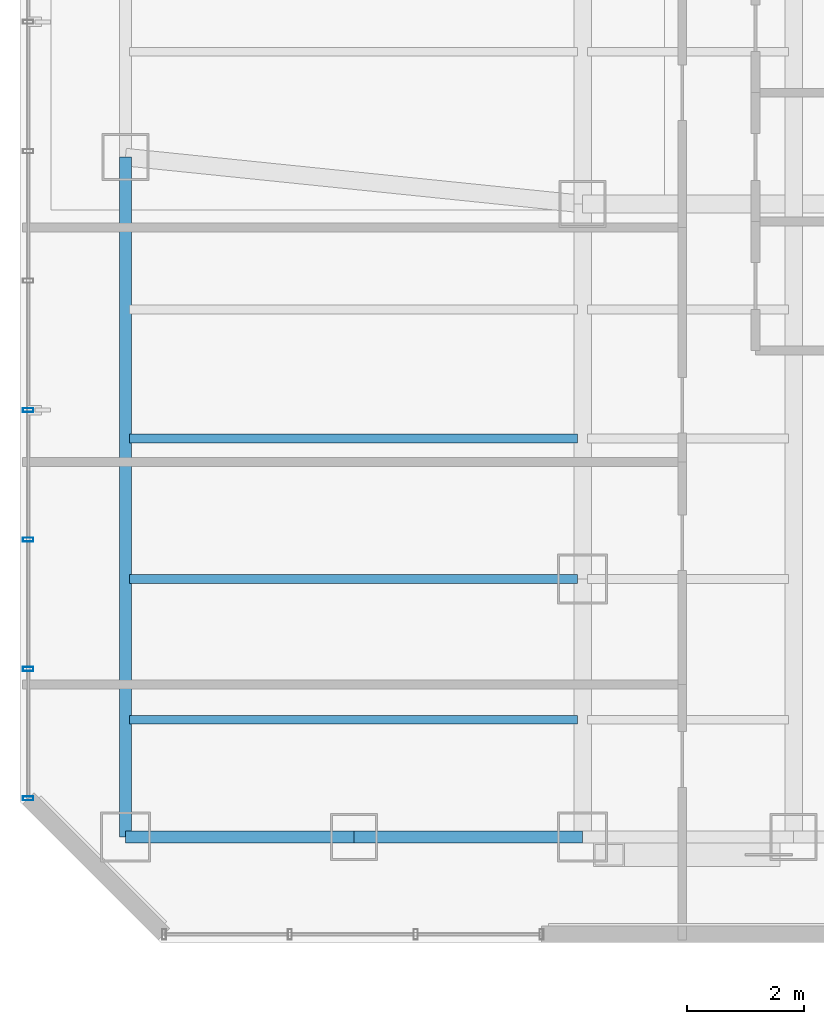
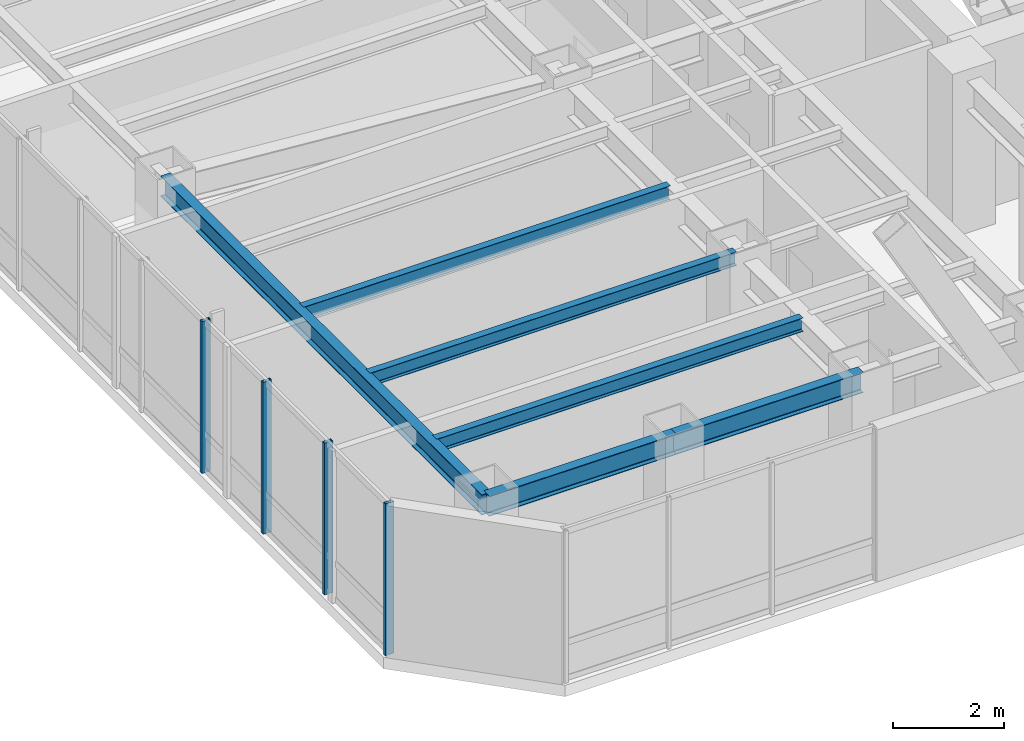
# One storey, part 4 of 29: 6 beams, 4 members, 1 element without a shape of its own.
"""IFC4 building model written with IfcOpenShell, lengths in metres."""

from ifc_helpers import new_model, si_unit, direction, frame, origin, origin_2d, place, context, subcontext, project, spatial, hollow_rectangle, i_section, extrude, material, layer, layer_set, material_profile, profile_set, type_object, element, aggregate, save


model = new_model("IFC4")

# Units and contexts
model_context = context("Model", 3, precision=1e-05, world=origin(), true_north=direction((0.0, 1.0)))
body_context = subcontext(model_context, "Body", "Model", "MODEL_VIEW")
ifc_project = project(units=[si_unit("LENGTHUNIT", "METRE"), si_unit("AREAUNIT", "SQUARE_METRE"), si_unit("VOLUMEUNIT", "CUBIC_METRE"), si_unit("PLANEANGLEUNIT", "RADIAN"), si_unit("MASSUNIT", "GRAM", prefix="KILO")], contexts=[model_context])

# Site, building, storey
site_placement = place(None, origin())
site = spatial("IfcSite", under=ifc_project, at=site_placement, CompositionType="ELEMENT")
building_placement = place(site_placement, origin())
building = spatial("IfcBuilding", under=site, at=building_placement, Name="Hatsunagi Terrace Concourse", CompositionType="ELEMENT")
storey_placement = place(building_placement, frame((0.0, 0.0, 149.25)))
storey = spatial("IfcBuildingStorey", under=building, at=storey_placement, Name="L39", CompositionType="ELEMENT", Elevation=149.25)

# Curtain wall, members
ifc_material_1 = material(Name="Anodised Aluminium Alloy 6063-T5", Category="aluminium")
ifc_layer = layer(ifc_material_1, 0.199951171875)
ifc_layer_set = layer_set([ifc_layer], Name="OfficeZone1_CW03")
curtain_wall_type = type_object("IfcCurtainWallType", Name="OfficeZone1_CW03", PredefinedType="NOTDEFINED", material=ifc_layer_set)
curtain_wall_placement = place(storey_placement, origin())
curtain_wall = element("IfcCurtainWall", 1, at=curtain_wall_placement, inside=storey, type_object=curtain_wall_type, Name="Unitised Curtain Wall CW-03 CW-L39-09", PredefinedType="NOTDEFINED")
ifc_material_2 = material(Name="Anodised Aluminium Alloy 6063-T5", Category="aluminium")
ifc_material_profile_1 = material_profile(ifc_material_2, hollow_rectangle(XDim=0.070068359375, YDim=0.179931640625, WallThickness=0.00390625, at=origin_2d()), Name="ALU-MUL-180x70x4")
ifc_profile_set_1 = profile_set([ifc_material_profile_1], Name="Anodised Aluminium Alloy 6063-T5")
member_type = type_object("IfcMemberType", Name="CurtainWallMullion_180x70", PredefinedType="MULLION", material=ifc_profile_set_1)
member_1_placement = place(storey_placement, frame((9.739990234375, 25.85791015625, 0.0), z_axis=(0.0, 0.0, 1.0), x_axis=(0.0, 1.0, 0.0)))
member_1 = element("IfcMember", 2, at=member_1_placement, type_object=member_type, Name="Curtain Wall Mullion MUL-02", PredefinedType="MULLION", context=body_context, shape_type="SweptSolid", body=[
    extrude(hollow_rectangle(XDim=0.070068359375, YDim=0.179931640625, WallThickness=0.00390625, at=origin_2d()), origin(), (0.0, 0.0, 1.0), 3.35009765625),
])
member_2_placement = place(storey_placement, frame((9.739990234375, 28.06591796875, 0.0), z_axis=(0.0, 0.0, 1.0), x_axis=(0.0, 1.0, 0.0)))
member_2 = element("IfcMember", 3, at=member_2_placement, type_object=member_type, Name="Curtain Wall Mullion MUL-02", PredefinedType="MULLION", context=body_context, shape_type="SweptSolid", body=[
    extrude(hollow_rectangle(XDim=0.070068359375, YDim=0.179931640625, WallThickness=0.00390625, at=origin_2d()), origin(), (0.0, 0.0, 1.0), 3.35009765625),
])
member_3_placement = place(storey_placement, frame((9.739990234375, 30.27490234375, 0.0), z_axis=(0.0, 0.0, 1.0), x_axis=(0.0, 1.0, 0.0)))
member_3 = element("IfcMember", 4, at=member_3_placement, type_object=member_type, Name="Curtain Wall Mullion MUL-02", PredefinedType="MULLION", context=body_context, shape_type="SweptSolid", body=[
    extrude(hollow_rectangle(XDim=0.070068359375, YDim=0.179931640625, WallThickness=0.00390625, at=origin_2d()), origin(), (0.0, 0.0, 1.0), 3.35009765625),
])
member_4_placement = place(storey_placement, frame((9.739990234375, 32.48291015625, 0.0), z_axis=(0.0, 0.0, 1.0), x_axis=(0.0, 1.0, 0.0)))
member_4 = element("IfcMember", 5, at=member_4_placement, type_object=member_type, Name="Curtain Wall Mullion MUL-02", PredefinedType="MULLION", context=body_context, shape_type="SweptSolid", body=[
    extrude(hollow_rectangle(XDim=0.070068359375, YDim=0.179931640625, WallThickness=0.00390625, at=origin_2d()), origin(), (0.0, 0.0, 1.0), 3.35009765625),
])
aggregate(curtain_wall, [member_1, member_2, member_3, member_4])

# Beams
ifc_material_3 = material(Name="Steel SN490B", Category="steel")
ifc_material_profile_2 = material_profile(ifc_material_3, i_section(OverallWidth=0.14990234375, OverallDepth=0.300048828125, WebThickness=0.006591796875, FlangeThickness=0.009033203125, FilletRadius=0.010986328125, at=origin_2d()), Name="H-300x150x6.5x9")
ifc_profile_set_2 = profile_set([ifc_material_profile_2], Name="Steel SN490B")
beam_type_1 = type_object("IfcBeamType", Name="OfficeJoist_H_300x150", PredefinedType="JOIST", material=ifc_profile_set_2)
for number, where, z_axis, x_axis, name in (
    (6, (11.465087890625, 27.199951171875, 3.199951171875), (1.0, 0.0, 0.0), (0.0, 1.0, 0.0), "Beam J-03 J-L39-W-11-272"),
    (7, (11.465087890625, 29.60009765625, 3.199951171875), (1.0, 0.0, 0.0), (0.0, 1.0, 0.0), "Beam J-03 J-L39-W-11-296"),
    (8, (11.465087890625, 32.0, 3.199951171875), (1.0, 0.0, 0.0), (0.0, 1.0, 0.0), "Beam J-03 J-L39-W-11-320"),
):
    element("IfcBeam", number, at=place(storey_placement, frame(where, z_axis=z_axis, x_axis=x_axis)), inside=storey, type_object=beam_type_1, Name=name, PredefinedType="JOIST", context=body_context, shape_type="SweptSolid", body=[
        extrude(i_section(OverallWidth=0.14990234375, OverallDepth=0.300048828125, WebThickness=0.006591796875, FlangeThickness=0.009033203125, FilletRadius=0.010986328125, at=origin_2d()), origin(), (0.0, 0.0, 1.0), 7.64990234375),
    ])
ifc_material_4 = material(Name="Steel SN490B", Category="steel")
ifc_material_profile_3 = material_profile(ifc_material_4, i_section(OverallWidth=0.199951171875, OverallDepth=0.449951171875, WebThickness=0.009033203125, FlangeThickness=0.013916015625, FilletRadius=0.01611328125, at=origin_2d()), Name="H-450x200x9x14")
ifc_profile_set_3 = profile_set([ifc_material_profile_3], Name="Steel SN490B")
beam_type_2 = type_object("IfcBeamType", Name="PerimeterSpandrel_H_450x200", PredefinedType="SPANDREL", material=ifc_profile_set_3)
beam_1_placement = place(storey_placement, frame((11.39990234375, 25.199951171875, 3.125), z_axis=(1.0, 0.0, 0.0), x_axis=(0.0, 1.0, 0.0)))
element("IfcBeam", 9, at=beam_1_placement, inside=storey, type_object=beam_type_2, Name="Beam SP-02 BM-L39-WS-11", PredefinedType="SPANDREL", context=body_context, shape_type="SweptSolid", body=[
    extrude(i_section(OverallWidth=0.199951171875, OverallDepth=0.449951171875, WebThickness=0.009033203125, FlangeThickness=0.013916015625, FilletRadius=0.01611328125, at=origin_2d()), origin(), (0.0, 0.0, 1.0), 3.900146484375),
])
beam_2_placement = place(storey_placement, frame((15.300048828125, 25.199951171875, 3.125), z_axis=(1.0, 0.0, 0.0), x_axis=(0.0, 1.0, 0.0)))
element("IfcBeam", 10, at=beam_2_placement, inside=storey, type_object=beam_type_2, Name="Beam SP-02 BM-L39-WS-15", PredefinedType="SPANDREL", context=body_context, shape_type="SweptSolid", body=[
    extrude(i_section(OverallWidth=0.199951171875, OverallDepth=0.449951171875, WebThickness=0.009033203125, FlangeThickness=0.013916015625, FilletRadius=0.01611328125, at=origin_2d()), origin(), (0.0, 0.0, 1.0), 3.89990234375),
])
beam_3_placement = place(storey_placement, frame((11.39990234375, 25.199951171875, 3.125), z_axis=(0.0, 1.0, 0.0), x_axis=(-1.0, 0.0, 0.0)))
element("IfcBeam", 11, at=beam_3_placement, inside=storey, type_object=beam_type_2, Name="Beam SP-02 BM-L39-NS-11-25", PredefinedType="SPANDREL", context=body_context, shape_type="SweptSolid", body=[
    extrude(i_section(OverallWidth=0.199951171875, OverallDepth=0.449951171875, WebThickness=0.009033203125, FlangeThickness=0.013916015625, FilletRadius=0.01611328125, at=origin_2d()), origin(), (0.0, 0.0, 1.0), 11.60009765625),
])

save(model, "model.ifc")
